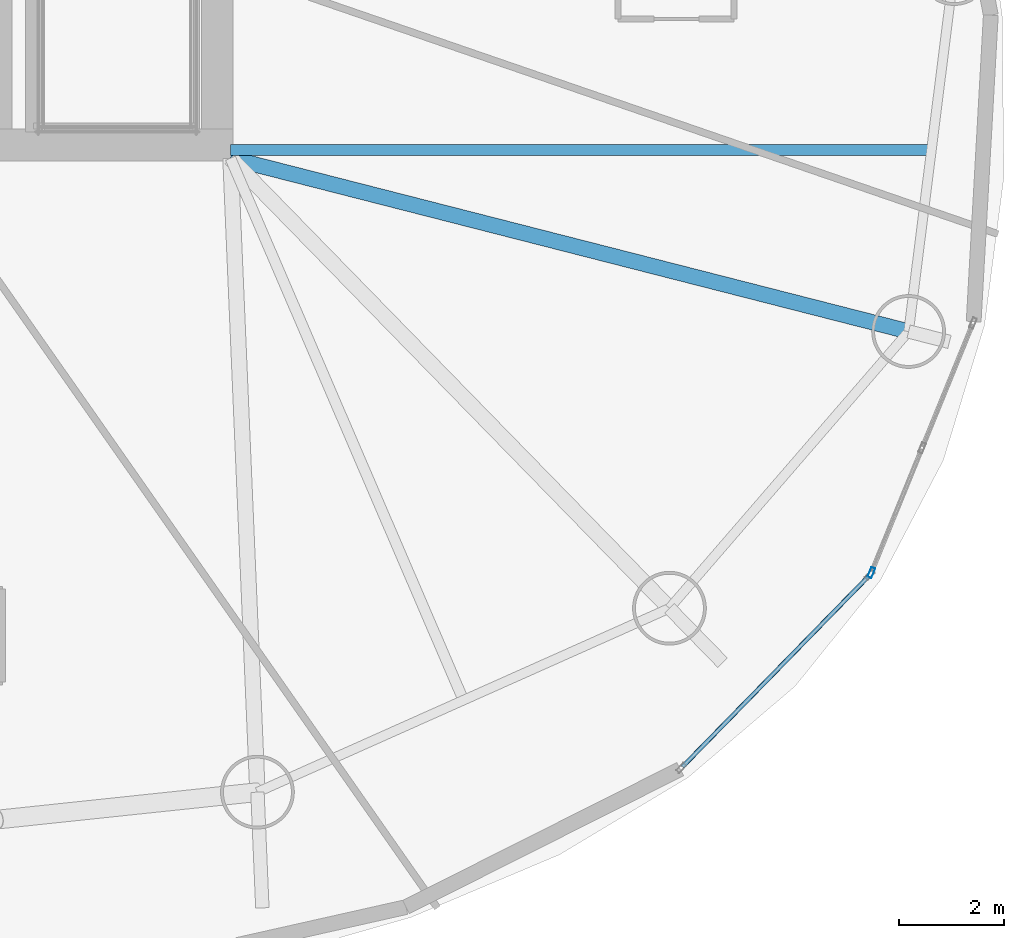
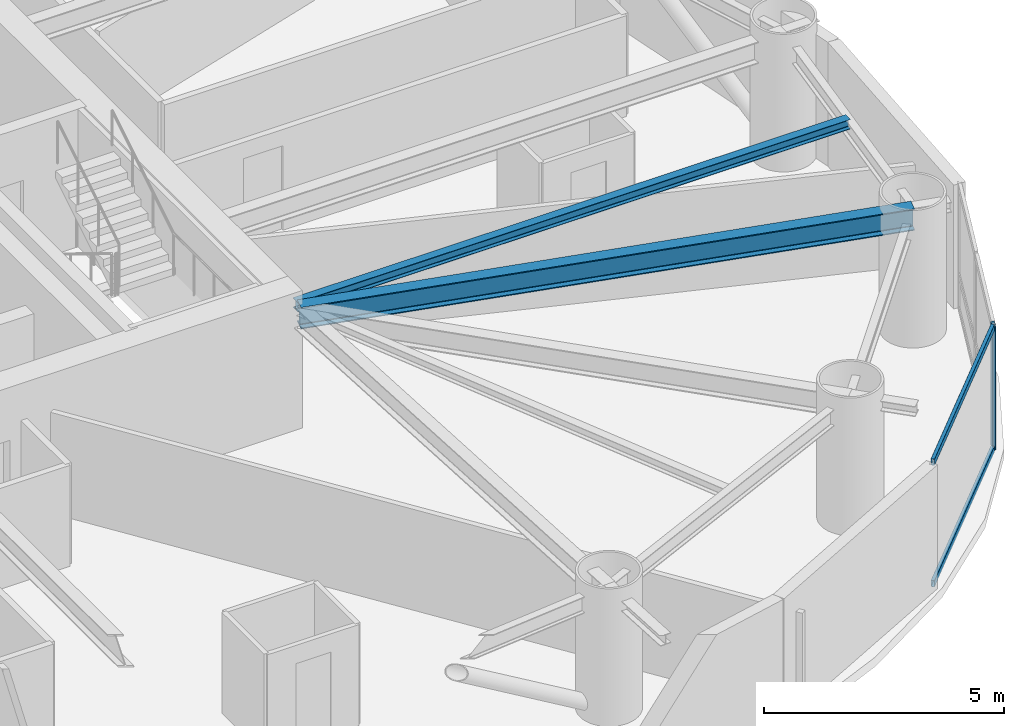
# One storey, part 7 of 21: 3 members, 2 beams, 2 elements without a shape of their own.
"""IFC4 building model written with IfcOpenShell, lengths in metres."""

from ifc_helpers import new_model, si_unit, direction, frame, origin, origin_2d, place, context, subcontext, project, spatial, hollow_rectangle, i_section, extrude, material, layer, layer_set, material_profile, profile_set, type_object, element, aggregate, save


model = new_model("IFC4")

# Units and contexts
model_context = context("Model", 3, precision=1e-05, world=origin(), true_north=direction((0.0, 1.0)))
body_context = subcontext(model_context, "Body", "Model", "MODEL_VIEW")
ifc_project = project(units=[si_unit("LENGTHUNIT", "METRE"), si_unit("AREAUNIT", "SQUARE_METRE"), si_unit("VOLUMEUNIT", "CUBIC_METRE"), si_unit("PLANEANGLEUNIT", "RADIAN"), si_unit("MASSUNIT", "GRAM", prefix="KILO")], contexts=[model_context])

# Site, building, storey
site_placement = place(None, origin())
site = spatial("IfcSite", under=ifc_project, at=site_placement, CompositionType="ELEMENT")
building_placement = place(site_placement, origin())
building = spatial("IfcBuilding", under=site, at=building_placement, Name="Bramvorn Convention Spire", CompositionType="ELEMENT")
storey_placement = place(building_placement, frame((0.0, 0.0, 162.300048828125)))
storey = spatial("IfcBuildingStorey", under=building, at=storey_placement, Name="L41", CompositionType="ELEMENT", Elevation=162.300048828125)

# Beams
ifc_material_1 = material(Name="Steel CSA G40.21 Grade 350 (350W)", Category="steel")
ifc_material_profile_1 = material_profile(ifc_material_1, i_section(OverallWidth=0.201904296875, OverallDepth=0.2470703125, WebThickness=0.00732421875, FlangeThickness=0.010986328125, FilletRadius=0.011962890625, at=origin_2d()))
ifc_profile_set_1 = profile_set([ifc_material_profile_1], Name="Steel CSA G40.21 Grade 350 (350W) - W250X49")
beam_type_1 = type_object("IfcBeamType", Name="BM-W250X49", PredefinedType="JOIST", material=ifc_profile_set_1)
beam_1_placement = place(storey_placement, frame((49.25, 18.705078125, 3.0263671875), z_axis=(1.0, 0.0, 0.0), x_axis=(0.0, 1.0, 0.0)))
element("IfcBeam", 1, at=beam_1_placement, inside=storey, type_object=beam_type_1, Name="L41 composite floor joist 01", PredefinedType="JOIST", context=body_context, shape_type="SweptSolid", body=[
    extrude(i_section(OverallWidth=0.201904296875, OverallDepth=0.2470703125, WebThickness=0.00732421875, FlangeThickness=0.010986328125, FilletRadius=0.011962890625, at=origin_2d()), origin(), (0.0, 0.0, 1.0), 13.30078125),
])
ifc_material_profile_2 = material_profile(ifc_material_1, i_section(OverallWidth=0.2919921875, OverallDepth=0.551025390625, WebThickness=0.01513671875, FlangeThickness=0.0244140625, FilletRadius=0.01904296875, at=origin_2d()))
ifc_profile_set_2 = profile_set([ifc_material_profile_2], Name="Steel CSA G40.21 Grade 350 (350W) - W530X182")
beam_type_2 = type_object("IfcBeamType", Name="BM-W530X182", PredefinedType="BEAM", material=ifc_profile_set_2)
beam_2_placement = place(storey_placement, frame((49.25, 18.550048828125, 2.87451171875), z_axis=(0.968872976577, -0.247558387576, 0.0), x_axis=(0.247558387576, 0.968872976577, 0.0)))
element("IfcBeam", 2, at=beam_2_placement, inside=storey, type_object=beam_type_2, Name="L41 radial floor girder MC01", PredefinedType="BEAM", context=body_context, shape_type="SweptSolid", body=[
    extrude(i_section(OverallWidth=0.2919921875, OverallDepth=0.551025390625, WebThickness=0.01513671875, FlangeThickness=0.0244140625, FilletRadius=0.01904296875, at=origin_2d()), origin(), (0.0, 0.0, 1.0), 13.281005859375),
])

# Curtain wall, member
ifc_material_2 = material(Name="Anodised Bronze Unitised Curtain Wall", Category="aluminium")
ifc_layer = layer(ifc_material_2, 0.179931640625)
ifc_layer_set = layer_set([ifc_layer], Name="Anodised Bronze Unitised Curtain Wall - CW-HTL-FRIT")
curtain_wall_type = type_object("IfcCurtainWallType", Name="CW-HTL-FRIT", PredefinedType="USERDEFINED", material=ifc_layer_set)
curtain_wall_1_placement = place(storey_placement, origin())
curtain_wall_1 = element("IfcCurtainWall", 3, at=curtain_wall_1_placement, inside=storey, type_object=curtain_wall_type, Name="L41 fritted glass curtain wall 01", ObjectType="UNITISED CURTAIN WALL", PredefinedType="USERDEFINED")
ifc_material_3 = material(Name="Anodised Bronze Aluminium 6063-T6", Category="aluminium")
ifc_material_profile_3 = material_profile(ifc_material_3, hollow_rectangle(XDim=0.080078125, YDim=0.199951171875, WallThickness=0.00390625, InnerFilletRadius=0.0009765625, OuterFilletRadius=0.00390625, at=origin_2d()))
ifc_profile_set_3 = profile_set([ifc_material_profile_3], Name="Anodised Bronze Aluminium 6063-T6 - CWM80X200")
member_type_1 = type_object("IfcMemberType", Name="CW-MUL-180", PredefinedType="MULLION", material=ifc_profile_set_3)
member_1_placement = place(storey_placement, frame((61.41064453125, 10.6865234375, 0.0), z_axis=(0.0, 0.0, 1.0), x_axis=(0.926056840802, -0.377384058493, 0.0)))
member_1 = element("IfcMember", 4, at=member_1_placement, type_object=member_type_1, Name="CW2 mullion 3", PredefinedType="MULLION", context=body_context, shape_type="SweptSolid", body=[
    extrude(hollow_rectangle(XDim=0.080078125, YDim=0.199951171875, WallThickness=0.00390625, InnerFilletRadius=0.0009765625, OuterFilletRadius=0.00390625, at=origin_2d()), origin(), (0.0, 0.0, 1.0), 3.14990234375),
])
aggregate(curtain_wall_1, [member_1])

# Curtain wall, members
curtain_wall_2_placement = place(storey_placement, origin())
curtain_wall_2 = element("IfcCurtainWall", 5, at=curtain_wall_2_placement, inside=storey, type_object=curtain_wall_type, Name="L41 fritted glass curtain wall 24", ObjectType="UNITISED CURTAIN WALL", PredefinedType="USERDEFINED")
ifc_material_profile_4 = material_profile(ifc_material_3, hollow_rectangle(XDim=0.080078125, YDim=0.159912109375, WallThickness=0.00390625, InnerFilletRadius=0.0009765625, OuterFilletRadius=0.00390625, at=origin_2d()))
ifc_profile_set_4 = profile_set([ifc_material_profile_4], Name="Anodised Bronze Aluminium 6063-T6 - CWT80X160")
member_type_2 = type_object("IfcMemberType", Name="CW-TRN-150", PredefinedType="USERDEFINED", material=ifc_profile_set_4)
member_2_placement = place(storey_placement, frame((61.357421875, 10.615966796875, 0.030029296875), z_axis=(-0.698774589256, -0.71534192762, 0.0), x_axis=(0.71534192762, -0.698774589256, 0.0)))
member_2 = element("IfcMember", 6, at=member_2_placement, type_object=member_type_2, Name="CW2 transom 1.1", ObjectType="TRANSOM", PredefinedType="USERDEFINED", context=body_context, shape_type="SweptSolid", body=[
    extrude(hollow_rectangle(XDim=0.080078125, YDim=0.159912109375, WallThickness=0.00390625, InnerFilletRadius=0.0009765625, OuterFilletRadius=0.00390625, at=origin_2d()), origin(), (0.0, 0.0, 1.0), 5.054443359375),
])
member_3_placement = place(storey_placement, frame((61.357421875, 10.615966796875, 3.119873046875), z_axis=(-0.698774589256, -0.71534192762, 0.0), x_axis=(0.71534192762, -0.698774589256, 0.0)))
member_3 = element("IfcMember", 7, at=member_3_placement, type_object=member_type_2, Name="CW2 transom 1.2", ObjectType="TRANSOM", PredefinedType="USERDEFINED", context=body_context, shape_type="SweptSolid", body=[
    extrude(hollow_rectangle(XDim=0.080078125, YDim=0.159912109375, WallThickness=0.00390625, InnerFilletRadius=0.0009765625, OuterFilletRadius=0.00390625, at=origin_2d()), origin(), (0.0, 0.0, 1.0), 5.054443359375),
])
aggregate(curtain_wall_2, [member_2, member_3])

save(model, "model.ifc")
